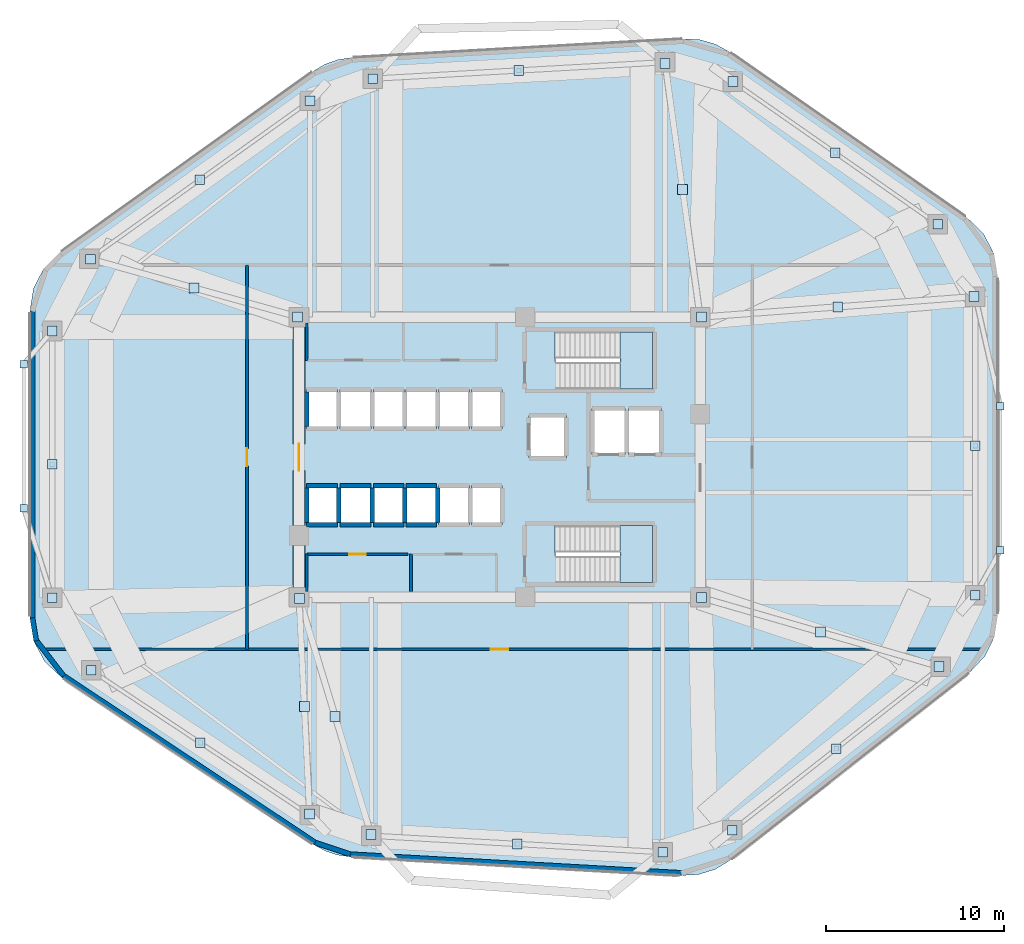
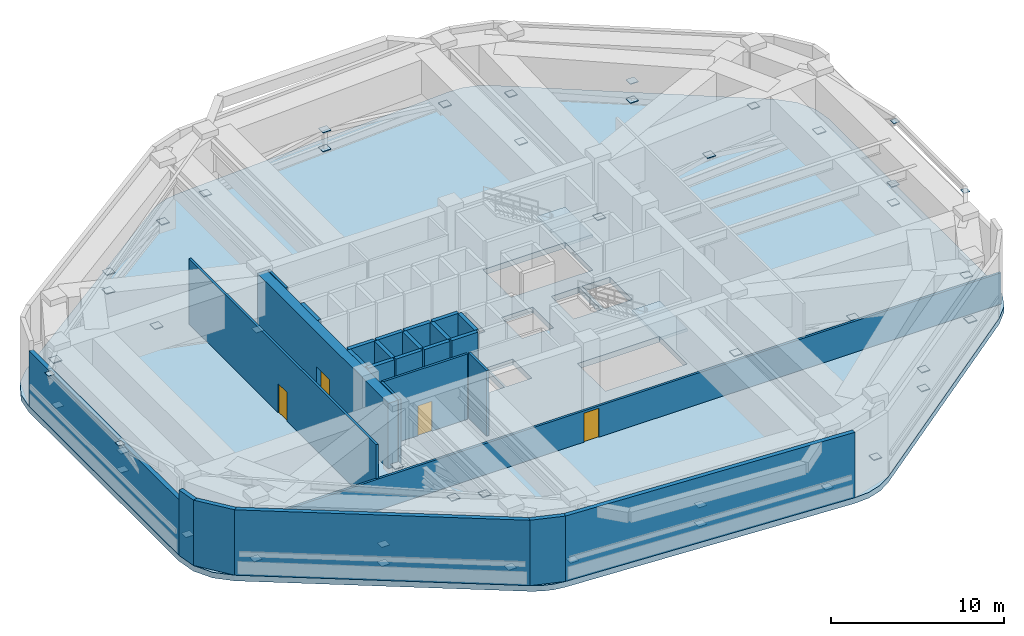
# One storey, part 7 of 12: 46 plates, 27 walls, 4 doors, 3 slabs, 4 openings, 2 elements without a shape of their own.
"""IFC4 building model written with IfcOpenShell, lengths in metres."""

from ifc_helpers import new_model, si_unit, direction, frame, frame_2d, origin, origin_2d, place, context, subcontext, project, spatial, polyline, rectangle, outline, extrude, material, layer, layer_set, type_object, element, fill, aggregate, save


model = new_model("IFC4")

# Units and contexts
model_context = context("Model", 3, precision=1e-05, world=origin(), true_north=direction((0.0, 1.0)))
body_context = subcontext(model_context, "Body", "Model", "MODEL_VIEW")
ifc_project = project(units=[si_unit("LENGTHUNIT", "METRE"), si_unit("AREAUNIT", "SQUARE_METRE"), si_unit("VOLUMEUNIT", "CUBIC_METRE"), si_unit("PLANEANGLEUNIT", "RADIAN"), si_unit("MASSUNIT", "GRAM", prefix="KILO")], contexts=[model_context])

# Site, building, storey
site_placement = place(None, origin())
site = spatial("IfcSite", under=ifc_project, at=site_placement, CompositionType="ELEMENT")
building_placement = place(site_placement, origin())
building = spatial("IfcBuilding", under=site, at=building_placement, Name="Zulverin Broadcast Headquarters", CompositionType="ELEMENT")
storey_placement = place(building_placement, frame((0.0, 0.0, 120.0)))
storey = spatial("IfcBuildingStorey", under=building, at=storey_placement, Name="L30", CompositionType="ELEMENT", Elevation=120.0)

# Plates
ifc_material_1 = material(Name="Structural steel S355JR", Category="steel")
ifc_layer_1 = layer(ifc_material_1, 0.044921875, Name="Structural steel S355JR", Category="steel")
ifc_layer_set_1 = layer_set([ifc_layer_1], Name="Structural steel S355JR")
plate_type_1 = type_object("IfcPlateType", Name="PLT-NODE-BN1", PredefinedType="SHEET", material=ifc_layer_set_1)
for number, where, z_axis, x_axis, name in (
    (1, (37.985595703125, 3.4599609375, 0.32763671875), (0.0, 0.0, 1.0), (1.0, 0.0, 0.0), "BN-1 Belt Truss Node Plate L30-01B"),
    (2, (37.985595703125, 3.4599609375, 1.657470703125), (0.0, 0.0, 1.0), (1.0, 0.0, 0.0), "BN-1 Belt Truss Node Plate L30-01T"),
    (3, (46.175048828125, 2.997802734375, 0.32763671875), (0.0, 0.0, 1.0), (1.0, 0.0, 0.0), "BN-1 Belt Truss Node Plate L30-01R"),
    (4, (50.08056640625, 4.22509765625, 0.32763671875), (0.0, 0.0, 1.0), (1.0, 0.0, 0.0), "BN-1 Belt Truss Node Plate L30-02L"),
    (5, (55.936767578125, 8.82080078125, 0.32763671875), (0.0, 0.0, 1.0), (1.0, 0.0, 0.0), "BN-1 Belt Truss Node Plate L30-02B"),
    (6, (55.936767578125, 8.82080078125, 1.657470703125), (0.0, 0.0, 1.0), (1.0, 0.0, 0.0), "BN-1 Belt Truss Node Plate L30-02T"),
    (7, (63.75, 17.439697265625, 0.32763671875), (0.0, 0.0, 1.0), (1.0, 0.0, 0.0), "BN-1 Belt Truss Node Plate L30-03L"),
    (8, (63.75, 25.83740234375, 0.32763671875), (0.0, 0.0, 1.0), (1.0, 0.0, 0.0), "BN-1 Belt Truss Node Plate L30-03B"),
    (9, (63.75, 25.83740234375, 1.657470703125), (0.0, 0.0, 1.0), (1.0, 0.0, 0.0), "BN-1 Belt Truss Node Plate L30-03T"),
    (10, (61.630126953125, 38.298583984375, 0.32763671875), (0.0, 0.0, 1.0), (1.0, 0.0, 0.0), "BN-1 Belt Truss Node Plate L30-04L"),
    (11, (55.8759765625, 42.312255859375, 0.32763671875), (0.0, 0.0, 1.0), (1.0, 0.0, 0.0), "BN-1 Belt Truss Node Plate L30-04B"),
    (12, (55.8759765625, 42.312255859375, 1.657470703125), (0.0, 0.0, 1.0), (1.0, 0.0, 0.0), "BN-1 Belt Truss Node Plate L30-04T"),
    (13, (50.121826171875, 46.325927734375, 0.32763671875), (0.0, 0.0, 1.0), (1.0, 0.0, 0.0), "BN-1 Belt Truss Node Plate L30-04R"),
    (14, (38.087890625, 46.94580078125, 0.32763671875), (0.0, 0.0, 1.0), (1.0, 0.0, 0.0), "BN-1 Belt Truss Node Plate L30-05B"),
    (15, (38.087890625, 46.94580078125, 1.657470703125), (0.0, 0.0, 1.0), (1.0, 0.0, 0.0), "BN-1 Belt Truss Node Plate L30-05T"),
    (16, (29.873779296875, 46.482177734375, 0.32763671875), (0.0, 0.0, 1.0), (1.0, 0.0, 0.0), "BN-1 Belt Truss Node Plate L30-05R"),
    (17, (26.344482421875, 45.23828125, 0.32763671875), (0.0, 0.0, 1.0), (1.0, 0.0, 0.0), "BN-1 Belt Truss Node Plate L30-06L"),
    (18, (20.139404296875, 40.796142578125, 0.32763671875), (0.0, 0.0, 1.0), (1.0, 0.0, 0.0), "BN-1 Belt Truss Node Plate L30-06B"),
    (19, (20.139404296875, 40.796142578125, 1.657470703125), (0.0, 0.0, 1.0), (1.0, 0.0, 0.0), "BN-1 Belt Truss Node Plate L30-06T"),
    (20, (11.85009765625, 32.298095703125, 0.32763671875), (0.0, 0.0, 1.0), (1.0, 0.0, 0.0), "BN-1 Belt Truss Node Plate L30-07L"),
    (21, (11.85009765625, 24.7978515625, 0.32763671875), (0.0, 0.0, 1.0), (1.0, 0.0, 0.0), "BN-1 Belt Truss Node Plate L30-07B"),
    (22, (11.85009765625, 24.7978515625, 1.657470703125), (0.0, 0.0, 1.0), (1.0, 0.0, 0.0), "BN-1 Belt Truss Node Plate L30-07T"),
    (23, (11.85009765625, 17.297607421875, 0.32763671875), (0.0, 0.0, 1.0), (1.0, 0.0, 0.0), "BN-1 Belt Truss Node Plate L30-07R"),
    (24, (14.0390625, 13.219970703125, 0.32763671875), (0.0, 0.0, 1.0), (1.0, 0.0, 0.0), "BN-1 Belt Truss Node Plate L30-08L"),
    (25, (20.18212890625, 9.14794921875, 0.32763671875), (0.0, 0.0, 1.0), (1.0, 0.0, 0.0), "BN-1 Belt Truss Node Plate L30-08B"),
    (26, (20.18212890625, 9.14794921875, 1.657470703125), (0.0, 0.0, 1.0), (1.0, 0.0, 0.0), "BN-1 Belt Truss Node Plate L30-08T"),
):
    element("IfcPlate", number, at=place(storey_placement, frame(where, z_axis=z_axis, x_axis=x_axis)), inside=storey, type_object=plate_type_1, Name=name, PredefinedType="SHEET", context=body_context, shape_type="SweptSolid", body=[
        extrude(rectangle(XDim=0.5400390625, YDim=0.5400390625, at=origin_2d()), origin(), (0.0, 0.0, 1.0), 0.044921875),
    ])
ifc_material_2 = material(Name="Structural steel S460M", Category="steel")
ifc_layer_2 = layer(ifc_material_2, 0.044921875, Name="Structural steel S460M", Category="steel")
ifc_layer_set_2 = layer_set([ifc_layer_2], Name="Structural steel S460M")
plate_type_2 = type_object("IfcPlateType", Name="PLT-NODE-ON1", PredefinedType="SHEET", material=ifc_layer_set_2)
for number, where, z_axis, x_axis, name in (
    (27, (25.748291015625, 17.24853515625, 0.32763671875), (0.0, 0.0, 1.0), (1.0, 0.0, 0.0), "ON-1 Outrigger Truss Node Plate L30-01A"),
    (28, (27.760498046875, 10.62353515625, 1.657470703125), (0.0, 0.0, 1.0), (1.0, 0.0, 0.0), "ON-1 Outrigger Truss Node Plate L30-01M"),
    (29, (29.77294921875, 3.998779296875, 0.32763671875), (0.0, 0.0, 1.0), (1.0, 0.0, 0.0), "ON-1 Outrigger Truss Node Plate L30-01B"),
    (30, (48.351806640625, 17.302734375, 0.32763671875), (0.0, 0.0, 1.0), (1.0, 0.0, 0.0), "ON-1 Outrigger Truss Node Plate L30-02A"),
    (31, (55.033935546875, 15.37060546875, 1.657470703125), (0.0, 0.0, 1.0), (1.0, 0.0, 0.0), "ON-1 Outrigger Truss Node Plate L30-02M"),
    (32, (61.716064453125, 13.4384765625, 0.32763671875), (0.0, 0.0, 1.0), (1.0, 0.0, 0.0), "ON-1 Outrigger Truss Node Plate L30-02B"),
    (33, (48.354736328125, 33.0810546875, 0.32763671875), (0.0, 0.0, 1.0), (1.0, 0.0, 0.0), "ON-1 Outrigger Truss Node Plate L30-03A"),
    (34, (56.012451171875, 33.655029296875, 1.657470703125), (0.0, 0.0, 1.0), (1.0, 0.0, 0.0), "ON-1 Outrigger Truss Node Plate L30-03M"),
    (35, (63.670166015625, 34.229248046875, 0.32763671875), (0.0, 0.0, 1.0), (1.0, 0.0, 0.0), "ON-1 Outrigger Truss Node Plate L30-03B"),
    (36, (47.28857421875, 40.2421875, 1.657470703125), (0.0, 0.0, 1.0), (1.0, 0.0, 0.0), "ON-1 Outrigger Truss Node Plate L30-04M"),
    (37, (46.31298828125, 47.330078125, 0.32763671875), (0.0, 0.0, 1.0), (1.0, 0.0, 0.0), "ON-1 Outrigger Truss Node Plate L30-04B"),
    (38, (25.64794921875, 33.096435546875, 0.32763671875), (0.0, 0.0, 1.0), (1.0, 0.0, 0.0), "ON-1 Outrigger Truss Node Plate L30-05A"),
    (39, (19.82958984375, 34.71435546875, 1.657470703125), (0.0, 0.0, 1.0), (1.0, 0.0, 0.0), "ON-1 Outrigger Truss Node Plate L30-05M"),
    (40, (14.011474609375, 36.33251953125, 0.32763671875), (0.0, 0.0, 1.0), (1.0, 0.0, 0.0), "ON-1 Outrigger Truss Node Plate L30-05B"),
    (41, (26.025146484375, 11.200439453125, 1.657470703125), (0.0, 0.0, 1.0), (1.0, 0.0, 0.0), "ON-1 Outrigger Truss Node Plate L30-06M"),
    (42, (26.3212890625, 5.15576171875, 0.32763671875), (0.0, 0.0, 1.0), (1.0, 0.0, 0.0), "ON-1 Outrigger Truss Node Plate L30-06B"),
):
    element("IfcPlate", number, at=place(storey_placement, frame(where, z_axis=z_axis, x_axis=x_axis)), inside=storey, type_object=plate_type_2, Name=name, PredefinedType="SHEET", context=body_context, shape_type="SweptSolid", body=[
        extrude(rectangle(XDim=0.56005859375, YDim=0.56005859375, at=origin_2d()), origin(), (0.0, 0.0, 1.0), 0.044921875),
    ])
ifc_layer_3 = layer(ifc_material_1, 0.02490234375, Name="Structural steel S355JR", Category="steel")
ifc_layer_set_3 = layer_set([ifc_layer_3], Name="Structural steel S355JR")
plate_type_3 = type_object("IfcPlateType", Name="PLT-NODE-SBN1", PredefinedType="SHEET", material=ifc_layer_set_3)
for number, where, z_axis, x_axis, name in (
    (43, (65.14990234375, 19.9599609375, 4.237548828125), (0.0, 0.0, 1.0), (1.0, 0.0, 0.0), "SBN-1 Studio Box Base Gusset Plate L30-SBOX_SKY1_E-1"),
    (44, (65.14990234375, 28.06005859375, 4.237548828125), (0.0, 0.0, 1.0), (1.0, 0.0, 0.0), "SBN-1 Studio Box Base Gusset Plate L30-SBOX_SKY1_E-2"),
    (45, (10.25, 22.340087890625, 4.237548828125), (0.0, 0.0, 1.0), (1.0, 0.0, 0.0), "SBN-1 Studio Box Base Gusset Plate L30-SBOX_SKY1_W-1"),
    (46, (10.25, 30.43994140625, 4.237548828125), (0.0, 0.0, 1.0), (1.0, 0.0, 0.0), "SBN-1 Studio Box Base Gusset Plate L30-SBOX_SKY1_W-2"),
):
    element("IfcPlate", number, at=place(storey_placement, frame(where, z_axis=z_axis, x_axis=x_axis)), inside=storey, type_object=plate_type_3, Name=name, PredefinedType="SHEET", context=body_context, shape_type="SweptSolid", body=[
        extrude(rectangle(XDim=0.419921875, YDim=0.419921875, at=origin_2d()), origin(), (0.0, 0.0, 1.0), 0.02490234375),
    ])

# Stair, slab
ifc_material_3 = material(Name="Concrete C40/50", Category="concrete")
stair_type = type_object("IfcStairType", Name="ST-CORE-1500", PredefinedType="HALF_TURN_STAIR", material=ifc_material_3)
stair_1_placement = place(storey_placement, origin())
stair_1 = element("IfcStair", 47, at=stair_1_placement, inside=storey, type_object=stair_type, Name="L30 Core Exit Stair ST-1", PredefinedType="HALF_TURN_STAIR")
ifc_layer_4 = layer(ifc_material_3, 0.199951171875, Name="Concrete C40/50", Category="concrete")
ifc_layer_set_4 = layer_set([ifc_layer_4], Name="Concrete C40/50")
slab_type_1 = type_object("IfcSlabType", Name="SLB-ST-LND200", PredefinedType="LANDING", material=ifc_layer_set_4)
slab_1_placement = place(storey_placement, frame((0.0, 0.0, 2.300048828125)))
slab_1 = element("IfcSlab", 48, at=slab_1_placement, type_object=slab_type_1, Name="ST-1 landing 1", PredefinedType="LANDING", context=body_context, shape_type="SweptSolid", body=[
    extrude(outline(polyline([(43.77001953125, 29.050048828125), (45.60009765625, 29.050048828125), (45.60009765625, 32.25), (43.77001953125, 32.25), (43.77001953125, 29.050048828125)])), origin(), (0.0, 0.0, 1.0), 0.199951171875),
])
aggregate(stair_1, [slab_1])

stair_2_placement = place(storey_placement, origin())
stair_2 = element("IfcStair", 49, at=stair_2_placement, inside=storey, type_object=stair_type, Name="L30 Core Exit Stair ST-2", PredefinedType="HALF_TURN_STAIR")
slab_2_placement = place(storey_placement, frame((0.0, 0.0, 2.300048828125)))
slab_2 = element("IfcSlab", 50, at=slab_2_placement, type_object=slab_type_1, Name="ST-2 landing 1", PredefinedType="LANDING", context=body_context, shape_type="SweptSolid", body=[
    extrude(outline(polyline([(43.77001953125, 18.14990234375), (45.60009765625, 18.14990234375), (45.60009765625, 21.35009765625), (43.77001953125, 21.35009765625), (43.77001953125, 18.14990234375)])), origin(), (0.0, 0.0, 1.0), 0.199951171875),
])
aggregate(stair_2, [slab_2])

# Slab
ifc_material_4 = material(Name="Concrete C50/60", Category="concrete")
ifc_layer_5 = layer(ifc_material_4, 0.39990234375, Name="Concrete C50/60", Category="concrete")
ifc_layer_set_5 = layer_set([ifc_layer_5], Name="Concrete C50/60")
slab_type_2 = type_object("IfcSlabType", Name="SLB-TRN-400", PredefinedType="FLOOR", material=ifc_layer_set_5)
slab_3_placement = place(storey_placement, frame((0.0, 0.0, -0.39990234375)))
element("IfcSlab", 51, at=slab_3_placement, inside=storey, type_object=slab_type_2, Name="L30 Main Structural Floor Slab", PredefinedType="FLOOR", context=body_context, shape_type="SweptSolid", body=[
    extrude(outline(polyline([(26.593017578125, 3.398681640625), (27.212158203125, 3.0625), (27.880615234375, 2.84033203125), (28.57763671875, 2.739013671875), (47.252685546875, 1.68505859375), (48.2109375, 1.746337890625), (49.126708984375, 2.0341796875), (49.947509765625, 2.531982421875), (63.469482421875, 13.142822265625), (64.293212890625, 14.01904296875), (64.819091796875, 15.1005859375), (65.0, 16.28955078125), (65.0, 35.38525390625), (64.796142578125, 36.6455078125), (64.20556640625, 37.777587890625), (63.288330078125, 38.666015625), (49.893798828125, 48.00927734375), (49.115966796875, 48.432373046875), (48.263916015625, 48.673828125), (47.3798828125, 48.72216796875), (28.655029296875, 47.665283203125), (27.91162109375, 47.552490234375), (27.2021484375, 47.302490234375), (26.552001953125, 46.92431640625), (12.271484375, 36.70068359375), (11.375, 35.814453125), (10.798583984375, 34.693115234375), (10.60009765625, 33.4482421875), (10.60009765625, 16.1474609375), (10.81396484375, 14.857177734375), (11.4326171875, 13.70458984375), (12.389892578125, 12.8134765625), (26.593017578125, 3.398681640625)]), holes=[polyline([(40.155029296875, 30.75), (40.130126953125, 30.75), (40.130126953125, 32.25), (45.60009765625, 32.25), (45.60009765625, 29.050048828125), (40.155029296875, 29.050048828125), (40.155029296875, 30.75)]), polyline([(40.155029296875, 19.85009765625), (40.130126953125, 19.85009765625), (40.130126953125, 21.35009765625), (45.60009765625, 21.35009765625), (45.60009765625, 18.14990234375), (40.155029296875, 18.14990234375), (40.155029296875, 19.85009765625)]), polyline([(26.14990234375, 26.800048828125), (27.89990234375, 26.800048828125), (27.89990234375, 29.0), (26.14990234375, 29.0), (26.14990234375, 26.800048828125)]), polyline([(28.02001953125, 26.800048828125), (29.77001953125, 26.800048828125), (29.77001953125, 29.0), (28.02001953125, 29.0), (28.02001953125, 26.800048828125)]), polyline([(26.14990234375, 21.39990234375), (27.89990234375, 21.39990234375), (27.89990234375, 23.60009765625), (26.14990234375, 23.60009765625), (26.14990234375, 21.39990234375)]), polyline([(28.02001953125, 21.39990234375), (29.77001953125, 21.39990234375), (29.77001953125, 23.60009765625), (28.02001953125, 23.60009765625), (28.02001953125, 21.39990234375)]), polyline([(29.89990234375, 21.39990234375), (31.6201171875, 21.39990234375), (31.6201171875, 23.60009765625), (29.89990234375, 23.60009765625), (29.89990234375, 21.39990234375)]), polyline([(31.739990234375, 21.39990234375), (33.4599609375, 21.39990234375), (33.4599609375, 23.60009765625), (31.739990234375, 23.60009765625), (31.739990234375, 21.39990234375)]), polyline([(33.580078125, 21.39990234375), (35.300048828125, 21.39990234375), (35.300048828125, 23.60009765625), (33.580078125, 23.60009765625), (33.580078125, 21.39990234375)]), polyline([(35.419921875, 21.39990234375), (37.139892578125, 21.39990234375), (37.139892578125, 23.60009765625), (35.419921875, 23.60009765625), (35.419921875, 21.39990234375)]), polyline([(29.89990234375, 26.800048828125), (31.6201171875, 26.800048828125), (31.6201171875, 29.0), (29.89990234375, 29.0), (29.89990234375, 26.800048828125)]), polyline([(31.739990234375, 26.800048828125), (33.4599609375, 26.800048828125), (33.4599609375, 29.0), (31.739990234375, 29.0), (31.739990234375, 26.800048828125)]), polyline([(33.580078125, 26.800048828125), (35.300048828125, 26.800048828125), (35.300048828125, 29.0), (33.580078125, 29.0), (33.580078125, 26.800048828125)]), polyline([(35.419921875, 26.800048828125), (37.139892578125, 26.800048828125), (37.139892578125, 29.0), (35.419921875, 29.0), (35.419921875, 26.800048828125)]), polyline([(42.199951171875, 25.35009765625), (44.050048828125, 25.35009765625), (44.050048828125, 27.949951171875), (42.199951171875, 27.949951171875), (42.199951171875, 25.35009765625)]), polyline([(44.25, 25.35009765625), (46.10009765625, 25.35009765625), (46.10009765625, 27.949951171875), (44.25, 27.949951171875), (44.25, 25.35009765625)]), polyline([(38.64990234375, 25.14990234375), (40.75, 25.14990234375), (40.75, 27.550048828125), (38.64990234375, 27.550048828125), (38.64990234375, 25.14990234375)])]), origin(), (0.0, 0.0, 1.0), 0.39990234375),
])

# Wall, opening, door
ifc_material_5 = material(Name="Concrete C60/75", Category="concrete")
ifc_layer_6 = layer(ifc_material_5, 0.64990234375, Name="Concrete C60/75", Category="concrete")
ifc_layer_set_6 = layer_set([ifc_layer_6], Name="Concrete C60/75")
wall_type_1 = type_object("IfcWallType", Name="WL-CORE-650", PredefinedType="SHEAR", material=ifc_layer_set_6)
wall_1_placement = place(storey_placement, frame((25.72509765625, 17.64990234375, 0.0), z_axis=(0.0, 0.0, 1.0), x_axis=(0.0, 1.0, 0.0)))
wall_1 = element("IfcWall", 52, at=wall_1_placement, inside=storey, type_object=wall_type_1, Name="L30 Core West Shear Wall", PredefinedType="SHEAR", context=body_context, shape_type="SweptSolid", body=[
    extrude(rectangle(XDim=15.10009765625, YDim=0.64990234375, at=frame_2d((7.550048828125, 0.0))), origin(), (0.0, 0.0, 1.0), 4.60009765625),
])
opening_1_placement = place(wall_1_placement, frame((6.800048828125, 0.0, 0.0)))
opening_1 = element("IfcOpeningElement", 53, at=opening_1_placement, cuts=wall_1, Name="Opening D-L30-CW1", PredefinedType="OPENING", context=body_context, shape_type="SweptSolid", body=[
    extrude(rectangle(XDim=1.5, YDim=2.14990234375, at=frame_2d((0.75, 1.074951171875))), frame((0.0, 0.3349609375, 0.0), z_axis=(0.0, -1.0, 0.0), x_axis=(1.0, 0.0, 0.0)), (0.0, 0.0, 1.0), 0.669921875),
])
ifc_material_6 = material(Name="Fire-rated glazed steel frame", Category="steel")
door_type_1 = type_object("IfcDoorType", Name="DR-COR-1500", OperationType="DOUBLE_DOOR_SINGLE_SWING", PredefinedType="DOOR", material=ifc_material_6)
door_1_placement = place(opening_1_placement, origin())
door_1 = element("IfcDoor", 54, at=door_1_placement, inside=storey, type_object=door_type_1, Name="L30 Central Lift Lobby West Portal Door", OperationType="DOUBLE_DOOR_SINGLE_SWING", OverallHeight=2.14990234375, OverallWidth=1.5, PredefinedType="DOOR", context=body_context, shape_type="SweptSolid", body=[
    extrude(rectangle(XDim=1.5, YDim=2.14990234375, at=frame_2d((0.75, 1.074951171875))), frame((0.0, 0.02490234375, 0.0), z_axis=(0.0, -1.0, 0.0), x_axis=(1.0, 0.0, 0.0)), (0.0, 0.0, 1.0), 0.050048828125),
])
fill(opening_1, door_1)

# Walls
ifc_material_7 = material(Name="Insulated pale-metal clad concrete spandrel C40/50", Category="concrete")
ifc_layer_7 = layer(ifc_material_7, 0.280029296875, Name="Insulated pale-metal clad concrete spandrel C40/50", Category="concrete")
ifc_layer_set_7 = layer_set([ifc_layer_7], Name="Insulated pale-metal clad concrete spandrel C40/50")
wall_type_2 = type_object("IfcWallType", Name="WL-EXT-280", PredefinedType="STANDARD", material=ifc_layer_set_7)
wall_2_placement = place(storey_placement, frame((28.585693359375, 2.87890625, 0.0), z_axis=(0.0, 0.0, 1.0), x_axis=(0.998411252876, -0.056346873291, 0.0)))
element("IfcWall", 55, at=wall_2_placement, inside=storey, type_object=wall_type_2, Name="L30 Pale-Metal Clad Spandrel Wall 1", PredefinedType="STANDARD", context=body_context, shape_type="SweptSolid", body=[
    extrude(rectangle(XDim=18.704833984375, YDim=0.280029296875, at=frame_2d((9.3525390625, 0.0))), origin(), (0.0, 0.0, 1.0), 4.60009765625),
])
wall_3_placement = place(storey_placement, frame((10.739990234375, 33.4482421875, 0.0), z_axis=(0.0, 0.0, 1.0), x_axis=(0.0, -1.0, 0.0)))
element("IfcWall", 56, at=wall_3_placement, inside=storey, type_object=wall_type_2, Name="L30 Pale-Metal Clad Spandrel Wall 7", PredefinedType="STANDARD", context=body_context, shape_type="SweptSolid", body=[
    extrude(rectangle(XDim=17.30078125, YDim=0.280029296875, at=frame_2d((8.650390625, 0.0))), origin(), (0.0, 0.0, 1.0), 3.906982421875),
])
wall_4_placement = place(storey_placement, frame((12.46728515625, 12.93017578125, 0.0), z_axis=(0.0, 0.0, 1.0), x_axis=(0.833508797991, -0.552506184284, 0.0)))
element("IfcWall", 57, at=wall_4_placement, inside=storey, type_object=wall_type_2, Name="L30 Pale-Metal Clad Spandrel Wall 8", PredefinedType="STANDARD", context=body_context, shape_type="SweptSolid", body=[
    extrude(rectangle(XDim=17.040283203125, YDim=0.280029296875, at=frame_2d((8.52001953125, 0.0))), origin(), (0.0, 0.0, 1.0), 4.60009765625),
])
wall_5_placement = place(storey_placement, frame((10.738037109375, 16.17041015625, 0.0), z_axis=(0.0, 0.0, 1.0), x_axis=(0.163490970766, -0.986544830445, 0.0)))
element("IfcWall", 58, at=wall_5_placement, inside=storey, type_object=wall_type_2, Name="L30 Wind-Shaped Corner Spandrel Wall 7-1", PredefinedType="STANDARD", context=body_context, shape_type="SweptSolid", body=[
    extrude(rectangle(XDim=1.30810546875, YDim=0.280029296875, at=frame_2d((0.654052734375, 0.0))), origin(), (0.0, 0.0, 1.0), 4.60009765625),
])
wall_6_placement = place(storey_placement, frame((10.9248046875, 14.942626953125, 0.0), z_axis=(0.0, 0.0, 1.0), x_axis=(0.610647549787, -0.791902500273, 0.0)))
element("IfcWall", 59, at=wall_6_placement, inside=storey, type_object=wall_type_2, Name="L30 Wind-Shaped Corner Spandrel Wall 7-2", PredefinedType="STANDARD", context=body_context, shape_type="SweptSolid", body=[
    extrude(rectangle(XDim=2.580810546875, YDim=0.280029296875, at=frame_2d((1.29052734375, 0.0))), origin(), (0.0, 0.0, 1.0), 4.60009765625),
])
wall_7_placement = place(storey_placement, frame((26.63720703125, 3.531494140625, 0.0), z_axis=(0.0, 0.0, 1.0), x_axis=(0.948951450177, -0.315422169809, 0.0)))
element("IfcWall", 60, at=wall_7_placement, inside=storey, type_object=wall_type_2, Name="L30 Wind-Shaped Corner Spandrel Wall 8-1", PredefinedType="STANDARD", context=body_context, shape_type="SweptSolid", body=[
    extrude(rectangle(XDim=2.09130859375, YDim=0.280029296875, at=frame_2d((1.045654296875, 0.0))), origin(), (0.0, 0.0, 1.0), 4.60009765625),
])
ifc_material_8 = material(Name="Fire-rated gypsum stud partition", Category="gypsum")
ifc_layer_8 = layer(ifc_material_8, 0.14990234375, Name="Fire-rated gypsum stud partition", Category="gypsum")
ifc_layer_set_8 = layer_set([ifc_layer_8], Name="Fire-rated gypsum stud partition")
wall_type_3 = type_object("IfcWallType", Name="WL-PART-150", PredefinedType="PARTITIONING", material=ifc_layer_set_8)
wall_8_placement = place(storey_placement, frame((26.169921875, 30.64990234375, 0.0), z_axis=(0.0, 0.0, 1.0), x_axis=(0.0, 1.0, 0.0)))
element("IfcWall", 61, at=wall_8_placement, inside=storey, type_object=wall_type_3, Name="L30 Core Male WC West Wall", PredefinedType="PARTITIONING", context=body_context, shape_type="SweptSolid", body=[
    extrude(rectangle(XDim=2.10009765625, YDim=0.14990234375, at=frame_2d((1.050048828125, 0.0))), origin(), (0.0, 0.0, 1.0), 4.60009765625),
])

# Wall, opening, door
wall_9_placement = place(storey_placement, frame((26.169921875, 19.75, 0.0), z_axis=(0.0, 0.0, 1.0), x_axis=(1.0, 0.0, 0.0)))
wall_9 = element("IfcWall", 62, at=wall_9_placement, inside=storey, type_object=wall_type_3, Name="L30 Core Female WC Front Wall", PredefinedType="PARTITIONING", context=body_context, shape_type="SweptSolid", body=[
    extrude(rectangle(XDim=5.690185546875, YDim=0.14990234375, at=frame_2d((2.84521484375, 0.0))), origin(), (0.0, 0.0, 1.0), 4.60009765625),
])
opening_2_placement = place(wall_9_placement, frame((2.3701171875, 0.0, 0.0)))
opening_2 = element("IfcOpeningElement", 63, at=opening_2_placement, cuts=wall_9, Name="Opening D-L30-SC1", PredefinedType="OPENING", context=body_context, shape_type="SweptSolid", body=[
    extrude(rectangle(XDim=0.949951171875, YDim=2.10009765625, at=frame_2d((0.47509765625, 1.050048828125))), frame((0.0, 0.0849609375, 0.0), z_axis=(0.0, -1.0, 0.0), x_axis=(1.0, 0.0, 0.0)), (0.0, 0.0, 1.0), 0.169921875),
])
ifc_material_9 = material(Name="Fire-rated moisture-resistant laminate leaf", Category="wood")
door_type_2 = type_object("IfcDoorType", Name="DR-WC-950", OperationType="SINGLE_SWING_LEFT", PredefinedType="DOOR", material=ifc_material_9)
door_2_placement = place(opening_2_placement, origin())
door_2 = element("IfcDoor", 64, at=door_2_placement, inside=storey, type_object=door_type_2, Name="L30 Female WC Door", OperationType="SINGLE_SWING_LEFT", OverallHeight=2.10009765625, OverallWidth=0.949951171875, PredefinedType="DOOR", context=body_context, shape_type="SweptSolid", body=[
    extrude(rectangle(XDim=0.949951171875, YDim=2.10009765625, at=frame_2d((0.47509765625, 1.050048828125))), frame((0.0, 0.02490234375, 0.0), z_axis=(0.0, -1.0, 0.0), x_axis=(1.0, 0.0, 0.0)), (0.0, 0.0, 1.0), 0.050048828125),
])
fill(opening_2, door_2)

# Walls
for number, where, z_axis, x_axis, name in (
    (65, (26.169921875, 17.64990234375, 0.0), (0.0, 0.0, 1.0), (0.0, 1.0, 0.0), "L30 Core Female WC West Wall"),
    (66, (32.02001953125, 17.64990234375, 0.0), (0.0, 0.0, 1.0), (0.0, 1.0, 0.0), "L30 Core Cleaner Store & Telecoms Riser West Wall"),
):
    element("IfcWall", number, at=place(storey_placement, frame(where, z_axis=z_axis, x_axis=x_axis)), inside=storey, type_object=wall_type_3, Name=name, PredefinedType="PARTITIONING", context=body_context, shape_type="SweptSolid", body=[
        extrude(rectangle(XDim=2.10009765625, YDim=0.14990234375, at=frame_2d((1.050048828125, 0.0))), origin(), (0.0, 0.0, 1.0), 4.60009765625),
    ])

# Wall, opening, door
wall_10_placement = place(storey_placement, frame((22.800048828125, 14.39990234375, 0.0), z_axis=(0.0, 0.0, 1.0), x_axis=(0.0, 1.0, 0.0)))
wall_10 = element("IfcWall", 67, at=wall_10_placement, inside=storey, type_object=wall_type_3, Name="L30 Gallery Partition Wall CG-02", PredefinedType="PARTITIONING", context=body_context, shape_type="SweptSolid", body=[
    extrude(rectangle(XDim=21.60009765625, YDim=0.14990234375, at=frame_2d((10.800048828125, 0.0))), origin(), (0.0, 0.0, 1.0), 4.60009765625),
])
opening_3_placement = place(wall_10_placement, frame((10.300048828125, 0.0, 0.0)))
opening_3 = element("IfcOpeningElement", 68, at=opening_3_placement, cuts=wall_10, Name="Opening D-L30-ELE", PredefinedType="OPENING", context=body_context, shape_type="SweptSolid", body=[
    extrude(rectangle(XDim=1.0, YDim=2.0400390625, at=frame_2d((0.5, 1.02001953125))), frame((0.0, 0.0849609375, 0.0), z_axis=(0.0, -1.0, 0.0), x_axis=(1.0, 0.0, 0.0)), (0.0, 0.0, 1.0), 0.169921875),
])
ifc_material_10 = material(Name="Fire-rated steel plant room leaf", Category="steel")
door_type_3 = type_object("IfcDoorType", Name="DR-PLT-2040", OperationType="SINGLE_SWING_LEFT", PredefinedType="DOOR", material=ifc_material_10)
door_3_placement = place(opening_3_placement, origin())
door_3 = element("IfcDoor", 69, at=door_3_placement, inside=storey, type_object=door_type_3, Name="L30 High-Voltage Transformer & UPS Plant Room Door", OperationType="SINGLE_SWING_LEFT", OverallHeight=2.0400390625, OverallWidth=1.0, PredefinedType="DOOR", context=body_context, shape_type="SweptSolid", body=[
    extrude(rectangle(XDim=1.0, YDim=2.0400390625, at=frame_2d((0.5, 1.02001953125))), frame((0.0, 0.02490234375, 0.0), z_axis=(0.0, -1.0, 0.0), x_axis=(1.0, 0.0, 0.0)), (0.0, 0.0, 1.0), 0.050048828125),
])
fill(opening_3, door_3)

wall_11_placement = place(storey_placement, frame((11.264404296875, 14.39990234375, 0.0), z_axis=(0.0, 0.0, 1.0), x_axis=(1.0, 0.0, 0.0)))
wall_11 = element("IfcWall", 70, at=wall_11_placement, inside=storey, type_object=wall_type_3, Name="L30 Gallery Partition Wall CG-03", PredefinedType="PARTITIONING", context=body_context, shape_type="SweptSolid", body=[
    extrude(rectangle(XDim=53.009033203125, YDim=0.14990234375, at=frame_2d((26.50439453125, 0.0))), origin(), (0.0, 0.0, 1.0), 2.199951171875),
])
opening_4_placement = place(wall_11_placement, frame((25.235595703125, 0.0, 0.0)))
opening_4 = element("IfcOpeningElement", 71, at=opening_4_placement, cuts=wall_11, Name="Opening D-L30-PUM", PredefinedType="OPENING", context=body_context, shape_type="SweptSolid", body=[
    extrude(rectangle(XDim=1.0, YDim=2.0400390625, at=frame_2d((0.5, 1.02001953125))), frame((0.0, 0.0849609375, 0.0), z_axis=(0.0, -1.0, 0.0), x_axis=(1.0, 0.0, 0.0)), (0.0, 0.0, 1.0), 0.169921875),
])
door_4_placement = place(opening_4_placement, origin())
door_4 = element("IfcDoor", 72, at=door_4_placement, inside=storey, type_object=door_type_3, Name="L30 Chilled Water & Fire Booster Pump Plant Room Door", OperationType="SINGLE_SWING_RIGHT", OverallHeight=2.0400390625, OverallWidth=1.0, PredefinedType="DOOR", context=body_context, shape_type="SweptSolid", body=[
    extrude(rectangle(XDim=1.0, YDim=2.0400390625, at=frame_2d((0.5, 1.02001953125))), frame((0.0, 0.02490234375, 0.0), z_axis=(0.0, -1.0, 0.0), x_axis=(1.0, 0.0, 0.0)), (0.0, 0.0, 1.0), 0.050048828125),
])
fill(opening_4, door_4)

# Walls
ifc_layer_9 = layer(ifc_material_4, 0.25, Name="Concrete C50/60", Category="concrete")
ifc_layer_set_9 = layer_set([ifc_layer_9], Name="Concrete C50/60")
wall_type_4 = type_object("IfcWallType", Name="WL-SHAFT-250", PredefinedType="SHEAR", material=ifc_layer_set_9)
wall_12_placement = place(storey_placement, frame((26.14990234375, 26.919921875, 0.0), z_axis=(0.0, 0.0, 1.0), x_axis=(0.0, 1.0, 0.0)))
element("IfcWall", 73, at=wall_12_placement, inside=storey, type_object=wall_type_4, Name="L30 Lift PL-L1 Shaft Wall W", PredefinedType="SHEAR", context=body_context, shape_type="SweptSolid", body=[
    extrude(rectangle(XDim=1.9599609375, YDim=0.25, at=frame_2d((0.97998046875, 0.0))), origin(), (0.0, 0.0, 1.0), 4.60009765625),
])
for number, where, z_axis, x_axis, name in (
    (74, (26.14990234375, 21.39990234375, 0.0), (0.0, 0.0, 1.0), (1.0, 0.0, 0.0), "L30 Lift PL-L3 Shaft Wall S"),
    (75, (26.14990234375, 23.60009765625, 0.0), (0.0, 0.0, 1.0), (1.0, 0.0, 0.0), "L30 Lift PL-L3 Shaft Wall N"),
):
    element("IfcWall", number, at=place(storey_placement, frame(where, z_axis=z_axis, x_axis=x_axis)), inside=storey, type_object=wall_type_4, Name=name, PredefinedType="SHEAR", context=body_context, shape_type="SweptSolid", body=[
        extrude(rectangle(XDim=1.75, YDim=0.25, at=frame_2d((0.875, 0.0))), origin(), (0.0, 0.0, 1.0), 4.60009765625),
    ])
for number, where, z_axis, x_axis, name in (
    (76, (26.14990234375, 21.52001953125, 0.0), (0.0, 0.0, 1.0), (0.0, 1.0, 0.0), "L30 Lift PL-L3 Shaft Wall W"),
    (77, (27.9599609375, 21.52001953125, 0.0), (0.0, 0.0, 1.0), (0.0, 1.0, 0.0), "L30 Lift PL-L3 Shaft Wall E"),
):
    element("IfcWall", number, at=place(storey_placement, frame(where, z_axis=z_axis, x_axis=x_axis)), inside=storey, type_object=wall_type_4, Name=name, PredefinedType="SHEAR", context=body_context, shape_type="SweptSolid", body=[
        extrude(rectangle(XDim=1.9599609375, YDim=0.25, at=frame_2d((0.97998046875, 0.0))), origin(), (0.0, 0.0, 1.0), 4.60009765625),
    ])
for number, where, z_axis, x_axis, name in (
    (78, (28.02001953125, 21.39990234375, 0.0), (0.0, 0.0, 1.0), (1.0, 0.0, 0.0), "L30 Lift PL-L4 Shaft Wall S"),
    (79, (28.02001953125, 23.60009765625, 0.0), (0.0, 0.0, 1.0), (1.0, 0.0, 0.0), "L30 Lift PL-L4 Shaft Wall N"),
):
    element("IfcWall", number, at=place(storey_placement, frame(where, z_axis=z_axis, x_axis=x_axis)), inside=storey, type_object=wall_type_4, Name=name, PredefinedType="SHEAR", context=body_context, shape_type="SweptSolid", body=[
        extrude(rectangle(XDim=1.75, YDim=0.25, at=frame_2d((0.875, 0.0))), origin(), (0.0, 0.0, 1.0), 4.60009765625),
    ])
wall_13_placement = place(storey_placement, frame((29.8349609375, 21.52001953125, 0.0), z_axis=(0.0, 0.0, 1.0), x_axis=(0.0, 1.0, 0.0)))
element("IfcWall", 80, at=wall_13_placement, inside=storey, type_object=wall_type_4, Name="L30 Lift PL-L4 Shaft Wall E", PredefinedType="SHEAR", context=body_context, shape_type="SweptSolid", body=[
    extrude(rectangle(XDim=1.9599609375, YDim=0.25, at=frame_2d((0.97998046875, 0.0))), origin(), (0.0, 0.0, 1.0), 4.60009765625),
])
for number, where, z_axis, x_axis, name in (
    (81, (29.89990234375, 21.39990234375, 0.0), (0.0, 0.0, 1.0), (1.0, 0.0, 0.0), "L30 Lift PL-M1 Shaft Wall S"),
    (82, (29.89990234375, 23.60009765625, 0.0), (0.0, 0.0, 1.0), (1.0, 0.0, 0.0), "L30 Lift PL-M1 Shaft Wall N"),
):
    element("IfcWall", number, at=place(storey_placement, frame(where, z_axis=z_axis, x_axis=x_axis)), inside=storey, type_object=wall_type_4, Name=name, PredefinedType="SHEAR", context=body_context, shape_type="SweptSolid", body=[
        extrude(rectangle(XDim=1.72021484375, YDim=0.25, at=frame_2d((0.860107421875, 0.0))), origin(), (0.0, 0.0, 1.0), 4.60009765625),
    ])
wall_14_placement = place(storey_placement, frame((31.679931640625, 21.52001953125, 0.0), z_axis=(0.0, 0.0, 1.0), x_axis=(0.0, 1.0, 0.0)))
element("IfcWall", 83, at=wall_14_placement, inside=storey, type_object=wall_type_4, Name="L30 Lift PL-M1 Shaft Wall E", PredefinedType="SHEAR", context=body_context, shape_type="SweptSolid", body=[
    extrude(rectangle(XDim=1.9599609375, YDim=0.25, at=frame_2d((0.97998046875, 0.0))), origin(), (0.0, 0.0, 1.0), 4.60009765625),
])
for number, where, z_axis, x_axis, name in (
    (84, (31.739990234375, 21.39990234375, 0.0), (0.0, 0.0, 1.0), (1.0, 0.0, 0.0), "L30 Lift PL-M2 Shaft Wall S"),
    (85, (31.739990234375, 23.60009765625, 0.0), (0.0, 0.0, 1.0), (1.0, 0.0, 0.0), "L30 Lift PL-M2 Shaft Wall N"),
):
    element("IfcWall", number, at=place(storey_placement, frame(where, z_axis=z_axis, x_axis=x_axis)), inside=storey, type_object=wall_type_4, Name=name, PredefinedType="SHEAR", context=body_context, shape_type="SweptSolid", body=[
        extrude(rectangle(XDim=1.719970703125, YDim=0.25, at=frame_2d((0.85986328125, 0.0))), origin(), (0.0, 0.0, 1.0), 4.60009765625),
    ])
wall_15_placement = place(storey_placement, frame((33.52001953125, 21.52001953125, 0.0), z_axis=(0.0, 0.0, 1.0), x_axis=(0.0, 1.0, 0.0)))
element("IfcWall", 86, at=wall_15_placement, inside=storey, type_object=wall_type_4, Name="L30 Lift PL-M2 Shaft Wall E", PredefinedType="SHEAR", context=body_context, shape_type="SweptSolid", body=[
    extrude(rectangle(XDim=1.9599609375, YDim=0.25, at=frame_2d((0.97998046875, 0.0))), origin(), (0.0, 0.0, 1.0), 4.60009765625),
])

save(model, "model.ifc")
